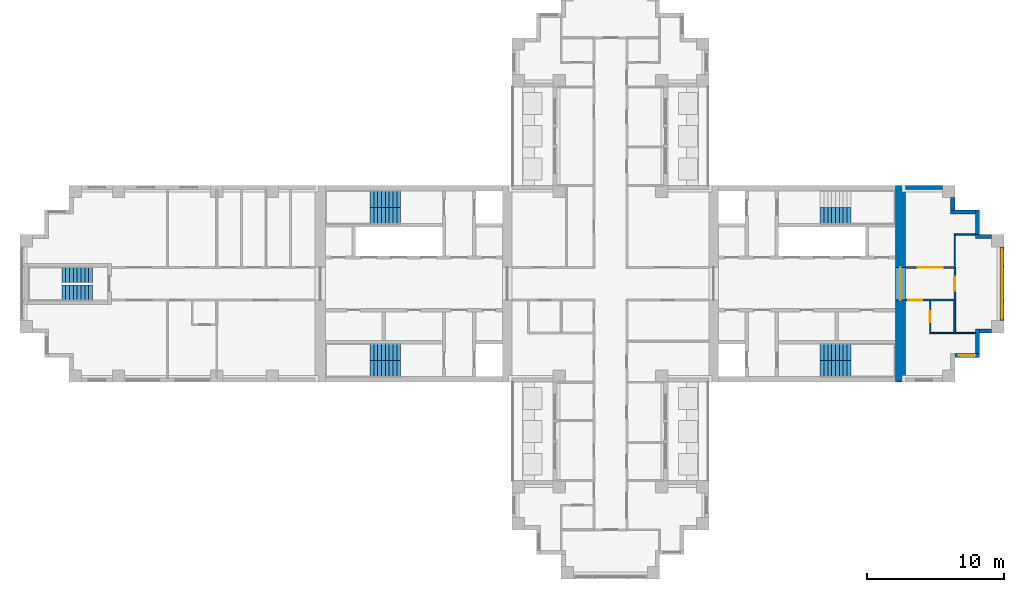
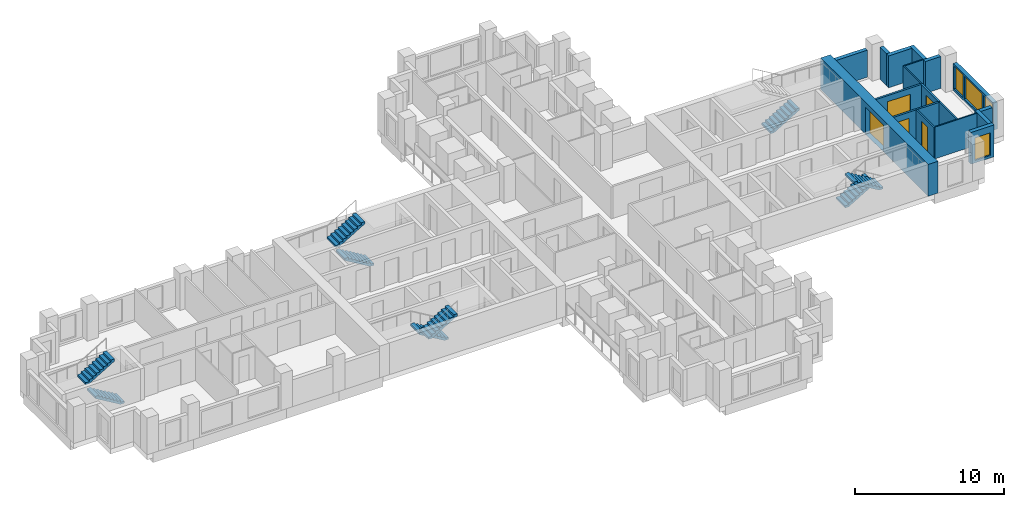
# One storey, part 8 of 11: 18 walls, 9 stair flights, 5 doors, 4 windows, 9 openings, 5 elements without a shape of their own.
"""IFC4 building model written with IfcOpenShell, lengths in metres."""

import ifcopenshell
import ifcopenshell.guid

model = None  # the IFC model being written
_history = None  # IfcOwnerHistory: only IFC2X3 demands one
_inside = {}  # id of a spatial element -> (the spatial element, [elements in it])
_under = {}  # id of a project, library or spatial element -> (it, [spatial elements below it])
_declared = {}  # id of a project -> (the project, [libraries it declares])
_typed = {}  # id of a type object -> (the type object, [elements of that type])
_made_of = {}  # id of a material, layer set ... -> (it, [elements and type objects made of it])


def new_model(schema):
    """Start an empty IFC model of exactly this schema.

    Asked for "IFC4X3", IfcOpenShell would pick the latest addendum, in which some entities
    have other attributes; the version numbers below select the first issue.
    IFC2X3 requires an IfcOwnerHistory on every rooted entity: one is made here for all.
    """
    global model, _history
    if schema == "IFC4X3":
        model = ifcopenshell.file(schema_version=(4, 3, 0, 0))
    else:
        model = ifcopenshell.file(schema=schema)
    _inside.clear()
    _under.clear()
    _declared.clear()
    _typed.clear()
    _made_of.clear()
    _history = None
    if model.schema == "IFC2X3":
        org = make("IfcOrganization", Name="unknown")
        user = make(
            "IfcPersonAndOrganization",
            ThePerson=make("IfcPerson", FamilyName="unknown"),
            TheOrganization=org,
        )
        app = make(
            "IfcApplication",
            ApplicationDeveloper=org,
            Version="unknown",
            ApplicationFullName="unknown",
            ApplicationIdentifier="unknown",
        )
        _history = make(
            "IfcOwnerHistory",
            OwningUser=user,
            OwningApplication=app,
            ChangeAction="ADDED",
            CreationDate=0,
        )
    return model


def make(cls, **values):
    """One entity of the class cls with the attributes given. An attribute that is None is left unset."""
    return model.create_entity(
        cls, **{name: value for name, value in values.items() if value is not None}
    )


def rooted(cls, **values):
    """An entity with a GlobalId (a new one), such as an element, a storey or a relation."""
    return make(cls, GlobalId=ifcopenshell.guid.new(), OwnerHistory=_history, **values)


def si_unit(unit_type, name, prefix=None):
    """IfcSIUnit, for example si_unit("LENGTHUNIT", "METRE", prefix="MILLI")."""
    return make("IfcSIUnit", UnitType=unit_type, Prefix=prefix, Name=name)


def assignment(units):
    """IfcUnitAssignment: the units of a project."""
    return None if units is None else make("IfcUnitAssignment", Units=units)


def point(xyz):
    """IfcCartesianPoint."""
    return None if xyz is None else make("IfcCartesianPoint", Coordinates=xyz)


def direction(xyz):
    """IfcDirection."""
    return None if xyz is None else make("IfcDirection", DirectionRatios=xyz)


def frame(location, z_axis=None, x_axis=None):
    """IfcAxis2Placement3D, a coordinate frame: its origin and axes. An axis left out is left unset."""
    return make(
        "IfcAxis2Placement3D",
        Location=point(location),
        Axis=direction(z_axis),
        RefDirection=direction(x_axis),
    )


def frame_2d(location, x_axis=None):
    """IfcAxis2Placement2D, a coordinate frame in the plane: its origin and x axis."""
    return make(
        "IfcAxis2Placement2D", Location=point(location), RefDirection=direction(x_axis)
    )


def origin():
    """The frame at (0, 0, 0) with its axes left unset."""
    return frame((0.0, 0.0, 0.0))


def place(relative_to, where):
    """IfcLocalPlacement: puts the frame where relative to a parent placement (None: the world)."""
    return make(
        "IfcLocalPlacement", PlacementRelTo=relative_to, RelativePlacement=where
    )


def context(
    kind, dimensions, precision=None, world=None, true_north=None, identifier=None
):
    """IfcGeometricRepresentationContext, for example the 3D "Model" context."""
    return make(
        "IfcGeometricRepresentationContext",
        ContextIdentifier=identifier,
        ContextType=kind,
        CoordinateSpaceDimension=dimensions,
        Precision=precision,
        WorldCoordinateSystem=world,
        TrueNorth=true_north,
    )


def subcontext(parent, identifier, kind, view, scale=None):
    """IfcGeometricRepresentationSubContext, for example "Body" below "Model"."""
    return make(
        "IfcGeometricRepresentationSubContext",
        ContextIdentifier=identifier,
        ContextType=kind,
        ParentContext=parent,
        TargetScale=scale,
        TargetView=view,
    )


def project(units=None, contexts=None):
    """IfcProject with its units and contexts."""
    return rooted(
        "IfcProject",
        Name="project",
        RepresentationContexts=contexts,
        UnitsInContext=assignment(units),
    )


def spatial(cls, under=None, at=None, **own):
    """A site, building, storey or space (cls), placed at a placement, below another one or the project."""
    s = rooted(cls, ObjectPlacement=at, **own)
    if under is not None:
        _under.setdefault(under.id(), (under, []))[1].append(s)
    return s


def polyline(points):
    """IfcPolyline through the points."""
    return make("IfcPolyline", Points=[point(p) for p in points])


def profile(cls, at=None, kind="AREA", **sizes):
    """A parametric profile (cls). Its sizes go by their IFC names, for example OverallWidth=200.0."""
    return make(cls, ProfileType=kind, Position=at, **sizes)


def rectangle(**sizes):
    """IfcRectangleProfileDef."""
    return profile("IfcRectangleProfileDef", **sizes)


def outline(outer, holes=None, kind="AREA"):
    """IfcArbitraryClosedProfileDef: a profile drawn as a closed curve; with holes, ...WithVoids."""
    if holes is None:
        return make("IfcArbitraryClosedProfileDef", ProfileType=kind, OuterCurve=outer)
    return make(
        "IfcArbitraryProfileDefWithVoids",
        ProfileType=kind,
        OuterCurve=outer,
        InnerCurves=holes,
    )


def extrude(swept, where, along, depth):
    """IfcExtrudedAreaSolid: the profile swept, set in the frame where, extruded along a direction by depth."""
    return make(
        "IfcExtrudedAreaSolid",
        SweptArea=swept,
        Position=where,
        ExtrudedDirection=direction(along),
        Depth=depth,
    )


def shape(context_of_items, identifier, shape_type, items):
    """IfcShapeRepresentation: the items that make up one representation, for example the "Body"."""
    return make(
        "IfcShapeRepresentation",
        ContextOfItems=context_of_items,
        RepresentationIdentifier=identifier,
        RepresentationType=shape_type,
        Items=items,
    )


def material(Name=None, Category=None):
    """IfcMaterial."""
    return make("IfcMaterial", Name=Name, Category=Category)


def layer(
    of_material, thickness, ventilated=None, Name=None, Category=None, Priority=None
):
    """IfcMaterialLayer: one layer of a wall or slab, of a material (None: an air gap)."""
    return make(
        "IfcMaterialLayer",
        Material=of_material,
        LayerThickness=thickness,
        IsVentilated=ventilated,
        Name=Name,
        Category=Category,
        Priority=Priority,
    )


def layer_set(layers, Name=None):
    """IfcMaterialLayerSet."""
    return make("IfcMaterialLayerSet", MaterialLayers=layers, LayerSetName=Name)


def made_of(thing, what):
    """Note that an element or type object is made of a material, layer set ...; save() writes the relation."""
    if what is not None:
        _made_of.setdefault(what.id(), (what, []))[1].append(thing)
    return thing


def type_object(cls, material=None, **own):
    """A type object (cls), such as IfcWallType, which elements share."""
    return made_of(rooted(cls, **own), material)


def element(
    cls,
    number,
    at=None,
    inside=None,
    cuts=None,
    type_object=None,
    material=None,
    context=None,
    identifier="Body",
    shape_type=None,
    held_by="IfcProductDefinitionShape",
    body=None,
    shapes=None,
    **own,
):
    """One element of the class cls, such as IfcWall. Its Tag is "e" and its number.

    at: its placement. inside: the storey or other place that contains it. cuts: it is an
    opening in that element (IfcRelVoidsElement). A single representation is given by context,
    identifier, shape_type and body (its items); several are given by shapes. held_by: the class
    of the entity that holds the representations. save() writes the other relations.
    """
    e = rooted(cls, Tag="e%d" % number, ObjectPlacement=at, **own)
    if body is not None:
        shapes = [shape(context, identifier, shape_type, body)]
    if shapes is not None:
        e.Representation = make(held_by, Representations=shapes)
    if inside is not None:
        _inside.setdefault(inside.id(), (inside, []))[1].append(e)
    if cuts is not None:
        rooted(
            "IfcRelVoidsElement", RelatingBuildingElement=cuts, RelatedOpeningElement=e
        )
    if type_object is not None:
        _typed.setdefault(type_object.id(), (type_object, []))[1].append(e)
    return made_of(e, material)


def fill(opening, filler):
    """IfcRelFillsElement: the door or window that sits in an opening."""
    return rooted(
        "IfcRelFillsElement",
        RelatingOpeningElement=opening,
        RelatedBuildingElement=filler,
    )


def aggregate(whole, parts):
    """IfcRelAggregates: a whole, such as a stair, and the parts it consists of."""
    return rooted("IfcRelAggregates", RelatingObject=whole, RelatedObjects=parts)


def save(model, path):
    """Write the relations noted so far, then the file.

    IfcRelAggregates (storeys below a building ...), IfcRelContainedInSpatialStructure (elements
    in a storey), IfcRelDefinesByType, IfcRelAssociatesMaterial and IfcRelDeclares: one each for
    every whole, place, type object, material and project.
    """
    for whole, parts in _under.values():
        aggregate(whole, parts)
    for where, things in _inside.values():
        rooted(
            "IfcRelContainedInSpatialStructure",
            RelatedElements=things,
            RelatingStructure=where,
        )
    for kind, things in _typed.values():
        rooted("IfcRelDefinesByType", RelatedObjects=things, RelatingType=kind)
    for what, things in _made_of.values():
        rooted("IfcRelAssociatesMaterial", RelatedObjects=things, RelatingMaterial=what)
    for by, libraries in _declared.values():
        rooted("IfcRelDeclares", RelatingContext=by, RelatedDefinitions=libraries)
    model.write(path)


model = new_model("IFC4")

# Units and contexts
model_context = context("Model", 3, precision=1e-05, world=origin(), true_north=direction((0.0, 1.0)))
body_context = subcontext(model_context, "Body", "Model", "MODEL_VIEW")
ifc_project = project(units=[si_unit("LENGTHUNIT", "METRE"), si_unit("AREAUNIT", "SQUARE_METRE"), si_unit("VOLUMEUNIT", "CUBIC_METRE"), si_unit("PLANEANGLEUNIT", "RADIAN"), si_unit("MASSUNIT", "GRAM", prefix="KILO")], contexts=[model_context])

# Site, building, storey
site_placement = place(None, origin())
site = spatial("IfcSite", under=ifc_project, at=site_placement, CompositionType="ELEMENT")
building_placement = place(site_placement, origin())
building = spatial("IfcBuilding", under=site, at=building_placement, Name="Fustian Cross Tower", CompositionType="ELEMENT")
storey_placement = place(building_placement, frame((0.0, 0.0, 173.699951171875)))
storey = spatial("IfcBuildingStorey", under=building, at=storey_placement, Name="L54", CompositionType="ELEMENT", Elevation=173.699951171875)

# Wall, opening, door
ifc_material_1 = material(Name="Plasterboard on steel stud", Category="steel")
ifc_layer_1 = layer(ifc_material_1, 0.14990234375)
ifc_layer_set_1 = layer_set([ifc_layer_1], Name="Plasterboard on steel stud")
wall_type_1 = type_object("IfcWallType", Name="COMPARTMENT WALL 150 EI 60", PredefinedType="PARTITIONING", material=ifc_layer_set_1)
wall_1_placement = place(storey_placement, frame((21.60009765625, -1.199951171875, 0.0), z_axis=(0.0, 0.0, 1.0), x_axis=(1.0, 0.0, 0.0)))
wall_1 = element("IfcWall", 1, at=wall_1_placement, inside=storey, type_object=wall_type_1, Name="Partition 50", PredefinedType="PARTITIONING", context=body_context, shape_type="SweptSolid", body=[
    extrude(rectangle(XDim=3.52490234375, YDim=0.14990234375, at=frame_2d((1.762451171875, 0.0))), origin(), (0.0, 0.0, 1.0), 2.60009765625),
])
opening_1_placement = place(wall_1_placement, frame((0.199951171875, 0.0, 0.0)))
opening_1 = element("IfcOpeningElement", 2, at=opening_1_placement, cuts=wall_1, Name="Opening D25012", PredefinedType="OPENING", context=body_context, shape_type="SweptSolid", body=[
    extrude(rectangle(XDim=1.0, YDim=2.10009765625, at=frame_2d((0.5, 1.050048828125))), frame((0.0, 0.0849609375, 0.0), z_axis=(0.0, -1.0, 0.0), x_axis=(1.0, 0.0, 0.0)), (0.0, 0.0, 1.0), 0.169921875),
])
ifc_material_2 = material(Name="Timber fire door set", Category="wood")
door_type_1 = type_object("IfcDoorType", Name="FIRE SWING DOOR 1000 FD30S", OperationType="SINGLE_SWING_LEFT", PredefinedType="DOOR", material=ifc_material_2)
door_1_placement = place(opening_1_placement, frame((1.0, 0.0, 0.0), z_axis=(0.0, 0.0, 1.0), x_axis=(-1.0, 0.0, 0.0)))
door_1 = element("IfcDoor", 3, at=door_1_placement, inside=storey, type_object=door_type_1, Name="Door D25012", OperationType="SINGLE_SWING_RIGHT", OverallHeight=2.10009765625, OverallWidth=1.0, PredefinedType="DOOR", context=body_context, shape_type="SweptSolid", body=[
    extrude(rectangle(XDim=1.0, YDim=2.10009765625, at=frame_2d((0.5, 1.050048828125))), frame((0.0, 0.02490234375, 0.0), z_axis=(0.0, -1.0, 0.0), x_axis=(1.0, 0.0, 0.0)), (0.0, 0.0, 1.0), 0.050048828125),
])
fill(opening_1, door_1)

wall_2_placement = place(storey_placement, frame((21.60009765625, 1.199951171875, 0.0), z_axis=(0.0, 0.0, 1.0), x_axis=(1.0, 0.0, 0.0)))
wall_2 = element("IfcWall", 4, at=wall_2_placement, inside=storey, type_object=wall_type_1, Name="Partition 51", PredefinedType="PARTITIONING", context=body_context, shape_type="SweptSolid", body=[
    extrude(rectangle(XDim=3.52490234375, YDim=0.14990234375, at=frame_2d((1.762451171875, 0.0))), origin(), (0.0, 0.0, 1.0), 2.60009765625),
])
opening_2_placement = place(wall_2_placement, frame((0.89990234375, 0.0, 0.0)))
opening_2 = element("IfcOpeningElement", 5, at=opening_2_placement, cuts=wall_2, Name="Opening D25010", PredefinedType="OPENING", context=body_context, shape_type="SweptSolid", body=[
    extrude(rectangle(XDim=1.800048828125, YDim=2.10009765625, at=frame_2d((0.89990234375, 1.050048828125))), frame((0.0, 0.0849609375, 0.0), z_axis=(0.0, -1.0, 0.0), x_axis=(1.0, 0.0, 0.0)), (0.0, 0.0, 1.0), 0.169921875),
])
ifc_material_3 = material(Name="Timber fire door set", Category="wood")
door_type_2 = type_object("IfcDoorType", Name="FIRE DOUBLE DOOR 1800 FD30S", OperationType="DOUBLE_DOOR_DOUBLE_SWING", PredefinedType="DOOR", material=ifc_material_3)
door_2_placement = place(opening_2_placement, frame((1.800048828125, 0.0, 0.0), z_axis=(0.0, 0.0, 1.0), x_axis=(-1.0, 0.0, 0.0)))
door_2 = element("IfcDoor", 6, at=door_2_placement, inside=storey, type_object=door_type_2, Name="Door D25010", OperationType="DOUBLE_DOOR_DOUBLE_SWING", OverallHeight=2.10009765625, OverallWidth=1.800048828125, PredefinedType="DOOR", context=body_context, shape_type="SweptSolid", body=[
    extrude(rectangle(XDim=1.800048828125, YDim=2.10009765625, at=frame_2d((0.89990234375, 1.050048828125))), frame((0.0, 0.02490234375, 0.0), z_axis=(0.0, -1.0, 0.0), x_axis=(1.0, 0.0, 0.0)), (0.0, 0.0, 1.0), 0.050048828125),
])
fill(opening_2, door_2)

wall_3_placement = place(storey_placement, frame((25.199951171875, -1.199951171875, 0.0), z_axis=(0.0, 0.0, 1.0), x_axis=(0.0, 1.0, 0.0)))
wall_3 = element("IfcWall", 7, at=wall_3_placement, inside=storey, type_object=wall_type_1, Name="Partition 55", PredefinedType="PARTITIONING", context=body_context, shape_type="SweptSolid", body=[
    extrude(rectangle(XDim=2.39990234375, YDim=0.14990234375, at=frame_2d((1.199951171875, 0.0))), origin(), (0.0, 0.0, 1.0), 2.60009765625),
])
opening_3_placement = place(wall_3_placement, frame((0.699951171875, 0.0, 0.0)))
opening_3 = element("IfcOpeningElement", 8, at=opening_3_placement, cuts=wall_3, Name="Opening D25009", PredefinedType="OPENING", context=body_context, shape_type="SweptSolid", body=[
    extrude(rectangle(XDim=1.0, YDim=2.10009765625, at=frame_2d((0.5, 1.050048828125))), frame((0.0, 0.0849609375, 0.0), z_axis=(0.0, -1.0, 0.0), x_axis=(1.0, 0.0, 0.0)), (0.0, 0.0, 1.0), 0.169921875),
])
door_3_placement = place(opening_3_placement, frame((1.0, 0.0, 0.0), z_axis=(0.0, 0.0, 1.0), x_axis=(-1.0, 0.0, 0.0)))
door_3 = element("IfcDoor", 9, at=door_3_placement, inside=storey, type_object=door_type_1, Name="Door D25009", OperationType="SINGLE_SWING_RIGHT", OverallHeight=2.10009765625, OverallWidth=1.0, PredefinedType="DOOR", context=body_context, shape_type="SweptSolid", body=[
    extrude(rectangle(XDim=1.0, YDim=2.10009765625, at=frame_2d((0.5, 1.050048828125))), frame((0.0, 0.02490234375, 0.0), z_axis=(0.0, -1.0, 0.0), x_axis=(1.0, 0.0, 0.0)), (0.0, 0.0, 1.0), 0.050048828125),
])
fill(opening_3, door_3)

ifc_material_4 = material(Name="Concrete C50/60", Category="concrete")
ifc_layer_2 = layer(ifc_material_4, 0.75)
ifc_layer_set_2 = layer_set([ifc_layer_2], Name="Concrete C50/60")
wall_type_2 = type_object("IfcWallType", Name="CORE END WALL 750 C50/60", PredefinedType="SHEAR", material=ifc_layer_set_2)
wall_4_placement = place(storey_placement, frame((21.22509765625, -7.199951171875, 0.0), z_axis=(0.0, 0.0, 1.0), x_axis=(0.0, 1.0, 0.0)))
wall_4 = element("IfcWall", 10, at=wall_4_placement, inside=storey, type_object=wall_type_2, Name="Core end wall", PredefinedType="SHEAR", context=body_context, shape_type="SweptSolid", body=[
    extrude(rectangle(XDim=14.39990234375, YDim=0.75, at=frame_2d((7.199951171875, 0.0))), origin(), (0.0, 0.0, 1.0), 2.60009765625),
])
opening_4_placement = place(wall_4_placement, frame((6.0, 0.0, 0.0)))
opening_4 = element("IfcOpeningElement", 11, at=opening_4_placement, cuts=wall_4, Name="Opening CD-22-13", PredefinedType="OPENING", context=body_context, shape_type="SweptSolid", body=[
    extrude(rectangle(XDim=2.39990234375, YDim=2.199951171875, at=frame_2d((1.199951171875, 1.10009765625))), frame((0.0, 0.385009765625, 0.0), z_axis=(0.0, -1.0, 0.0), x_axis=(1.0, 0.0, 0.0)), (0.0, 0.0, 1.0), 0.77001953125),
])
ifc_material_5 = material(Name="Steel", Category="steel")
door_type_3 = type_object("IfcDoorType", Name="FIRE DOOR FD30S DOUBLE 2400X2200", OperationType="DOUBLE_DOOR_DOUBLE_SWING", PredefinedType="DOOR", material=ifc_material_5)
door_4_placement = place(opening_4_placement, origin())
door_4 = element("IfcDoor", 12, at=door_4_placement, inside=storey, type_object=door_type_3, Name="Core door CD-22-13", OperationType="DOUBLE_DOOR_DOUBLE_SWING", OverallHeight=2.199951171875, OverallWidth=2.39990234375, PredefinedType="DOOR", context=body_context, shape_type="SweptSolid", body=[
    extrude(rectangle(XDim=2.39990234375, YDim=2.199951171875, at=frame_2d((1.199951171875, 1.10009765625))), frame((0.0, 0.02490234375, 0.0), z_axis=(0.0, -1.0, 0.0), x_axis=(1.0, 0.0, 0.0)), (0.0, 0.0, 1.0), 0.050048828125),
])
fill(opening_4, door_4)

ifc_material_6 = material(Name="Plasterboard on steel stud", Category="steel")
ifc_layer_3 = layer(ifc_material_6, 0.10009765625)
ifc_layer_set_3 = layer_set([ifc_layer_3], Name="Plasterboard on steel stud")
wall_type_3 = type_object("IfcWallType", Name="PARTITION 100 STUD", PredefinedType="PARTITIONING", material=ifc_layer_set_3)
wall_5_placement = place(storey_placement, frame((23.39990234375, -3.64990234375, 0.0), z_axis=(0.0, 0.0, 1.0), x_axis=(0.0, 1.0, 0.0)))
wall_5 = element("IfcWall", 13, at=wall_5_placement, inside=storey, type_object=wall_type_3, Name="Partition 52", PredefinedType="PARTITIONING", context=body_context, shape_type="SweptSolid", body=[
    extrude(rectangle(XDim=2.375, YDim=0.10009765625, at=frame_2d((1.1875, 0.0))), origin(), (0.0, 0.0, 1.0), 2.60009765625),
])
opening_5_placement = place(wall_5_placement, frame((0.85009765625, 0.0, 0.0)))
opening_5 = element("IfcOpeningElement", 14, at=opening_5_placement, cuts=wall_5, Name="Opening D25011", PredefinedType="OPENING", context=body_context, shape_type="SweptSolid", body=[
    extrude(rectangle(XDim=0.800048828125, YDim=2.10009765625, at=frame_2d((0.39990234375, 1.050048828125))), frame((0.0, 0.06005859375, 0.0), z_axis=(0.0, -1.0, 0.0), x_axis=(1.0, 0.0, 0.0)), (0.0, 0.0, 1.0), 0.1201171875),
])
ifc_material_7 = material(Name="Painted timber", Category="wood")
door_type_4 = type_object("IfcDoorType", Name="SWING DOOR 800", OperationType="SINGLE_SWING_LEFT", PredefinedType="DOOR", material=ifc_material_7)
door_5_placement = place(opening_5_placement, frame((0.800048828125, 0.0, 0.0), z_axis=(0.0, 0.0, 1.0), x_axis=(-1.0, 0.0, 0.0)))
door_5 = element("IfcDoor", 15, at=door_5_placement, inside=storey, type_object=door_type_4, Name="Door D25011", OperationType="SINGLE_SWING_RIGHT", OverallHeight=2.10009765625, OverallWidth=0.800048828125, PredefinedType="DOOR", context=body_context, shape_type="SweptSolid", body=[
    extrude(rectangle(XDim=0.800048828125, YDim=2.10009765625, at=frame_2d((0.39990234375, 1.050048828125))), frame((0.0, 0.02490234375, 0.0), z_axis=(0.0, -1.0, 0.0), x_axis=(1.0, 0.0, 0.0)), (0.0, 0.0, 1.0), 0.050048828125),
])
fill(opening_5, door_5)

# Walls
wall_6_placement = place(storey_placement, frame((23.449951171875, -3.60009765625, 0.0), z_axis=(0.0, 0.0, 1.0), x_axis=(1.0, 0.0, 0.0)))
element("IfcWall", 16, at=wall_6_placement, inside=storey, type_object=wall_type_3, Name="Partition 53", PredefinedType="PARTITIONING", context=body_context, shape_type="SweptSolid", body=[
    extrude(rectangle(XDim=3.25, YDim=0.10009765625, at=frame_2d((1.625, 0.0))), origin(), (0.0, 0.0, 1.0), 2.60009765625),
])
wall_7_placement = place(storey_placement, frame((25.199951171875, 1.199951171875, 0.0), z_axis=(0.0, 0.0, 1.0), x_axis=(0.0, 1.0, 0.0)))
element("IfcWall", 17, at=wall_7_placement, inside=storey, type_object=wall_type_3, Name="Partition 56", PredefinedType="PARTITIONING", context=body_context, shape_type="SweptSolid", body=[
    extrude(rectangle(XDim=2.449951171875, YDim=0.10009765625, at=frame_2d((1.22509765625, 0.0))), origin(), (0.0, 0.0, 1.0), 2.60009765625),
])
wall_8_placement = place(storey_placement, frame((25.25, 3.60009765625, 0.0), z_axis=(0.0, 0.0, 1.0), x_axis=(1.0, 0.0, 0.0)))
element("IfcWall", 18, at=wall_8_placement, inside=storey, type_object=wall_type_3, Name="Partition 57", PredefinedType="PARTITIONING", context=body_context, shape_type="SweptSolid", body=[
    extrude(rectangle(XDim=1.449951171875, YDim=0.10009765625, at=frame_2d((0.72509765625, 0.0))), origin(), (0.0, 0.0, 1.0), 2.60009765625),
])
ifc_material_8 = material(Name="Plasterboard on steel stud", Category="steel")
ifc_layer_4 = layer(ifc_material_8, 0.125)
ifc_layer_set_4 = layer_set([ifc_layer_4], Name="Plasterboard on steel stud")
wall_type_4 = type_object("IfcWallType", Name="WET WALL 125 STUD", PredefinedType="PARTITIONING", material=ifc_layer_set_4)
wall_9_placement = place(storey_placement, frame((25.199951171875, -3.550048828125, 0.0), z_axis=(0.0, 0.0, 1.0), x_axis=(0.0, 1.0, 0.0)))
element("IfcWall", 19, at=wall_9_placement, inside=storey, type_object=wall_type_4, Name="Partition 54", PredefinedType="PARTITIONING", context=body_context, shape_type="SweptSolid", body=[
    extrude(rectangle(XDim=2.35009765625, YDim=0.125, at=frame_2d((1.175048828125, 0.0))), origin(), (0.0, 0.0, 1.0), 2.60009765625),
])

# Wall, opening, window
ifc_material_9 = material(Name="Dark aluminium cladding on insulated backing wall", Category="aluminium")
ifc_layer_5 = layer(ifc_material_9, 0.300048828125)
ifc_layer_set_5 = layer_set([ifc_layer_5], Name="Dark aluminium cladding on insulated backing wall")
wall_type_5 = type_object("IfcWallType", Name="XW1 EXTERNAL WALL 300", PredefinedType="SOLIDWALL", material=ifc_layer_set_5)
wall_10_placement = place(storey_placement, frame((25.199951171875, -5.25, 0.0), z_axis=(0.0, 0.0, 1.0), x_axis=(1.0, 0.0, 0.0)))
wall_10 = element("IfcWall", 20, at=wall_10_placement, inside=storey, type_object=wall_type_5, Name="External wall", PredefinedType="SOLIDWALL", context=body_context, shape_type="SweptSolid", body=[
    extrude(rectangle(XDim=1.800048828125, YDim=0.300048828125, at=frame_2d((0.89990234375, 0.0))), origin(), (0.0, 0.0, 1.0), 2.60009765625),
])
opening_6_placement = place(wall_10_placement, frame((0.300048828125, 0.0, 0.199951171875)))
opening_6 = element("IfcOpeningElement", 21, at=opening_6_placement, cuts=wall_10, Name="Opening WN3", PredefinedType="OPENING", context=body_context, shape_type="SweptSolid", body=[
    extrude(rectangle(XDim=1.199951171875, YDim=1.85009765625, at=frame_2d((0.60009765625, 0.925048828125))), frame((0.0, 0.159912109375, 0.0), z_axis=(0.0, -1.0, 0.0), x_axis=(1.0, 0.0, 0.0)), (0.0, 0.0, 1.0), 0.320068359375),
])
ifc_material_10 = material(Name="Dark anodised aluminium and double glazing", Category="aluminium")
window_type_1 = type_object("IfcWindowType", Name="WN3 WINDOW 1200X1850", PartitioningType="SINGLE_PANEL", PredefinedType="WINDOW", material=ifc_material_10)
window_1_placement = place(opening_6_placement, origin())
window_1 = element("IfcWindow", 22, at=window_1_placement, inside=storey, type_object=window_type_1, Name="Window", OverallHeight=1.85009765625, OverallWidth=1.199951171875, PartitioningType="SINGLE_PANEL", PredefinedType="WINDOW", context=body_context, shape_type="SweptSolid", body=[
    extrude(rectangle(XDim=1.199951171875, YDim=1.85009765625, at=frame_2d((0.60009765625, 0.925048828125))), frame((0.0, 0.030029296875, 0.0), z_axis=(0.0, -1.0, 0.0), x_axis=(1.0, 0.0, 0.0)), (0.0, 0.0, 1.0), 0.06005859375),
])
fill(opening_6, window_1)

# Walls
wall_11_placement = place(storey_placement, frame((26.85009765625, -5.10009765625, 0.0), z_axis=(0.0, 0.0, 1.0), x_axis=(0.0, 1.0, 0.0)))
element("IfcWall", 23, at=wall_11_placement, inside=storey, type_object=wall_type_5, Name="External wall", PredefinedType="SOLIDWALL", context=body_context, shape_type="SweptSolid", body=[
    extrude(rectangle(XDim=1.800048828125, YDim=0.300048828125, at=frame_2d((0.89990234375, 0.0))), origin(), (0.0, 0.0, 1.0), 2.60009765625),
])
wall_12_placement = place(storey_placement, frame((27.0, -3.449951171875, 0.0), z_axis=(0.0, 0.0, 1.0), x_axis=(1.0, 0.0, 0.0)))
element("IfcWall", 24, at=wall_12_placement, inside=storey, type_object=wall_type_5, Name="External wall", PredefinedType="SOLIDWALL", context=body_context, shape_type="SweptSolid", body=[
    extrude(rectangle(XDim=0.89990234375, YDim=0.300048828125, at=frame_2d((0.449951171875, 0.0))), origin(), (0.0, 0.0, 1.0), 2.60009765625),
])

# Wall, openings, windows
wall_13_placement = place(storey_placement, frame((28.64990234375, -2.699951171875, 0.0), z_axis=(0.0, 0.0, 1.0), x_axis=(0.0, 1.0, 0.0)))
wall_13 = element("IfcWall", 25, at=wall_13_placement, inside=storey, type_object=wall_type_5, Name="External wall", PredefinedType="SOLIDWALL", context=body_context, shape_type="SweptSolid", body=[
    extrude(rectangle(XDim=5.39990234375, YDim=0.300048828125, at=frame_2d((2.699951171875, 0.0))), origin(), (0.0, 0.0, 1.0), 2.199951171875),
])
opening_7_placement = place(wall_13_placement, frame((1.5, 0.0, 0.199951171875)))
opening_7 = element("IfcOpeningElement", 26, at=opening_7_placement, cuts=wall_13, Name="Opening WN1", PredefinedType="OPENING", context=body_context, shape_type="SweptSolid", body=[
    extrude(rectangle(XDim=2.39990234375, YDim=1.85009765625, at=frame_2d((1.199951171875, 0.925048828125))), frame((0.0, 0.159912109375, 0.0), z_axis=(0.0, -1.0, 0.0), x_axis=(1.0, 0.0, 0.0)), (0.0, 0.0, 1.0), 0.320068359375),
])
opening_8_placement = place(wall_13_placement, frame((0.14990234375, 0.0, 0.199951171875)))
opening_8 = element("IfcOpeningElement", 27, at=opening_8_placement, cuts=wall_13, Name="Opening WN3", PredefinedType="OPENING", context=body_context, shape_type="SweptSolid", body=[
    extrude(rectangle(XDim=1.199951171875, YDim=1.85009765625, at=frame_2d((0.60009765625, 0.925048828125))), frame((0.0, 0.159912109375, 0.0), z_axis=(0.0, -1.0, 0.0), x_axis=(1.0, 0.0, 0.0)), (0.0, 0.0, 1.0), 0.320068359375),
])
opening_9_placement = place(wall_13_placement, frame((4.050048828125, 0.0, 0.199951171875)))
opening_9 = element("IfcOpeningElement", 28, at=opening_9_placement, cuts=wall_13, Name="Opening WN3", PredefinedType="OPENING", context=body_context, shape_type="SweptSolid", body=[
    extrude(rectangle(XDim=1.199951171875, YDim=1.85009765625, at=frame_2d((0.60009765625, 0.925048828125))), frame((0.0, 0.159912109375, 0.0), z_axis=(0.0, -1.0, 0.0), x_axis=(1.0, 0.0, 0.0)), (0.0, 0.0, 1.0), 0.320068359375),
])
ifc_material_11 = material(Name="Dark anodised aluminium and double glazing", Category="aluminium")
window_type_2 = type_object("IfcWindowType", Name="WN1 WINDOW 2400X1850", PartitioningType="SINGLE_PANEL", PredefinedType="WINDOW", material=ifc_material_11)
window_2_placement = place(opening_7_placement, origin())
window_2 = element("IfcWindow", 29, at=window_2_placement, inside=storey, type_object=window_type_2, Name="Window", OverallHeight=1.85009765625, OverallWidth=2.39990234375, PartitioningType="SINGLE_PANEL", PredefinedType="WINDOW", context=body_context, shape_type="SweptSolid", body=[
    extrude(rectangle(XDim=2.39990234375, YDim=1.85009765625, at=frame_2d((1.199951171875, 0.925048828125))), frame((0.0, 0.030029296875, 0.0), z_axis=(0.0, -1.0, 0.0), x_axis=(1.0, 0.0, 0.0)), (0.0, 0.0, 1.0), 0.06005859375),
])
fill(opening_7, window_2)
window_3_placement = place(opening_8_placement, origin())
window_3 = element("IfcWindow", 30, at=window_3_placement, inside=storey, type_object=window_type_1, Name="Window", OverallHeight=1.85009765625, OverallWidth=1.199951171875, PartitioningType="SINGLE_PANEL", PredefinedType="WINDOW", context=body_context, shape_type="SweptSolid", body=[
    extrude(rectangle(XDim=1.199951171875, YDim=1.85009765625, at=frame_2d((0.60009765625, 0.925048828125))), frame((0.0, 0.030029296875, 0.0), z_axis=(0.0, -1.0, 0.0), x_axis=(1.0, 0.0, 0.0)), (0.0, 0.0, 1.0), 0.06005859375),
])
fill(opening_8, window_3)
window_4_placement = place(opening_9_placement, origin())
window_4 = element("IfcWindow", 31, at=window_4_placement, inside=storey, type_object=window_type_1, Name="Window", OverallHeight=1.85009765625, OverallWidth=1.199951171875, PartitioningType="SINGLE_PANEL", PredefinedType="WINDOW", context=body_context, shape_type="SweptSolid", body=[
    extrude(rectangle(XDim=1.199951171875, YDim=1.85009765625, at=frame_2d((0.60009765625, 0.925048828125))), frame((0.0, 0.030029296875, 0.0), z_axis=(0.0, -1.0, 0.0), x_axis=(1.0, 0.0, 0.0)), (0.0, 0.0, 1.0), 0.06005859375),
])
fill(opening_9, window_4)

# Walls
wall_14_placement = place(storey_placement, frame((27.89990234375, 3.449951171875, 0.0), z_axis=(0.0, 0.0, 1.0), x_axis=(-1.0, 0.0, 0.0)))
element("IfcWall", 32, at=wall_14_placement, inside=storey, type_object=wall_type_5, Name="External wall", PredefinedType="SOLIDWALL", context=body_context, shape_type="SweptSolid", body=[
    extrude(rectangle(XDim=1.199951171875, YDim=0.300048828125, at=frame_2d((0.60009765625, 0.0))), origin(), (0.0, 0.0, 1.0), 2.60009765625),
])
wall_15_placement = place(storey_placement, frame((26.85009765625, 3.60009765625, 0.0), z_axis=(0.0, 0.0, 1.0), x_axis=(0.0, 1.0, 0.0)))
element("IfcWall", 33, at=wall_15_placement, inside=storey, type_object=wall_type_5, Name="External wall", PredefinedType="SOLIDWALL", context=body_context, shape_type="SweptSolid", body=[
    extrude(rectangle(XDim=1.7998046875, YDim=0.300048828125, at=frame_2d((0.89990234375, 0.0))), origin(), (0.0, 0.0, 1.0), 2.60009765625),
])
wall_16_placement = place(storey_placement, frame((26.699951171875, 5.25, 0.0), z_axis=(0.0, 0.0, 1.0), x_axis=(-1.0, 0.0, 0.0)))
element("IfcWall", 34, at=wall_16_placement, inside=storey, type_object=wall_type_5, Name="External wall", PredefinedType="SOLIDWALL", context=body_context, shape_type="SweptSolid", body=[
    extrude(rectangle(XDim=1.800048828125, YDim=0.300048828125, at=frame_2d((0.89990234375, 0.0))), origin(), (0.0, 0.0, 1.0), 2.60009765625),
])
wall_17_placement = place(storey_placement, frame((25.050048828125, 5.39990234375, 0.0), z_axis=(0.0, 0.0, 1.0), x_axis=(0.0, 1.0, 0.0)))
element("IfcWall", 35, at=wall_17_placement, inside=storey, type_object=wall_type_5, Name="External wall", PredefinedType="SOLIDWALL", context=body_context, shape_type="SweptSolid", body=[
    extrude(rectangle(XDim=0.900146484375, YDim=0.300048828125, at=frame_2d((0.4501953125, 0.0))), origin(), (0.0, 0.0, 1.0), 2.60009765625),
])
wall_18_placement = place(storey_placement, frame((24.300048828125, 7.050048828125, 0.0), z_axis=(0.0, 0.0, 1.0), x_axis=(-1.0, 0.0, 0.0)))
element("IfcWall", 36, at=wall_18_placement, inside=storey, type_object=wall_type_5, Name="External wall", PredefinedType="SOLIDWALL", context=body_context, shape_type="SweptSolid", body=[
    extrude(rectangle(XDim=2.699951171875, YDim=0.300048828125, at=frame_2d((1.35009765625, 0.0))), origin(), (0.0, 0.0, 1.0), 2.199951171875),
])

# Stair, stair flights
ifc_material_12 = material(Name="Concrete C50/60", Category="concrete")
stair_type_1 = type_object("IfcStairType", Name="STAIR 1100 HALF TURN", PredefinedType="HALF_TURN_STAIR", material=ifc_material_12)
stair_1_placement = place(storey_placement, origin())
stair_1 = element("IfcStair", 37, at=stair_1_placement, inside=storey, type_object=stair_type_1, Name="Stair ST9", PredefinedType="HALF_TURN_STAIR")
ifc_material_13 = material(Name="Concrete C50/60", Category="concrete")
stair_flight_type_1 = type_object("IfcStairFlightType", Name="STAIR FLIGHT 1100", PredefinedType="STRAIGHT", material=ifc_material_13)
stair_flight_1_placement = place(storey_placement, frame((-37.89990234375, -0.64990234375, 0.0), z_axis=(0.0, 0.0, 1.0), x_axis=(-1.0, 0.0, 0.0)))
stair_flight_1 = element("IfcStairFlight", 38, at=stair_flight_1_placement, type_object=stair_flight_type_1, Name="ST9 flight 1", NumberOfRisers=9, NumberOfTreads=8, PredefinedType="STRAIGHT", RiserHeight=0.166666667, TreadLength=0.28, context=body_context, shape_type="SweptSolid", body=[
    extrude(outline(polyline([(0.0, 0.0), (0.0, 0.166748046875), (0.280029296875, 0.166748046875), (0.280029296875, 0.333251953125), (0.56005859375, 0.333251953125), (0.56005859375, 0.5), (0.840087890625, 0.5), (0.840087890625, 0.666748046875), (1.1201171875, 0.666748046875), (1.1201171875, 0.833251953125), (1.39990234375, 0.833251953125), (1.39990234375, 1.0), (1.679931640625, 1.0), (1.679931640625, 1.166748046875), (1.9599609375, 1.166748046875), (1.9599609375, 1.333251953125), (2.239990234375, 1.333251953125), (2.239990234375, 1.5), (2.239990234375, 1.158935546875), (0.29296875, 0.0), (0.0, 0.0)])), frame((0.0, 0.550048828125, 0.0), z_axis=(0.0, -1.0, 0.0), x_axis=(1.0, 0.0, 0.0)), (0.0, 0.0, 1.0), 1.10009765625),
])
stair_flight_2_placement = place(storey_placement, frame((-40.139892578125, 0.64990234375, 1.5), z_axis=(0.0, 0.0, 1.0), x_axis=(1.0, 0.0, 0.0)))
stair_flight_2 = element("IfcStairFlight", 39, at=stair_flight_2_placement, type_object=stair_flight_type_1, Name="ST9 flight 2", NumberOfRisers=9, NumberOfTreads=8, PredefinedType="STRAIGHT", RiserHeight=0.166666667, TreadLength=0.28, context=body_context, shape_type="SweptSolid", body=[
    extrude(outline(polyline([(0.0, 0.0), (0.0, 0.166748046875), (0.280029296875, 0.166748046875), (0.280029296875, 0.333251953125), (0.56005859375, 0.333251953125), (0.56005859375, 0.5), (0.840087890625, 0.5), (0.840087890625, 0.666748046875), (1.1201171875, 0.666748046875), (1.1201171875, 0.833251953125), (1.39990234375, 0.833251953125), (1.39990234375, 1.0), (1.679931640625, 1.0), (1.679931640625, 1.166748046875), (1.9599609375, 1.166748046875), (1.9599609375, 1.333251953125), (2.239990234375, 1.333251953125), (2.239990234375, 1.5), (2.239990234375, 1.158935546875), (0.29296875, 0.0), (0.0, 0.0)])), frame((0.0, 0.550048828125, 0.0), z_axis=(0.0, -1.0, 0.0), x_axis=(1.0, 0.0, 0.0)), (0.0, 0.0, 1.0), 1.10009765625),
])
aggregate(stair_1, [stair_flight_1, stair_flight_2])

# Stair, stair flight
ifc_material_14 = material(Name="Concrete C50/60", Category="concrete")
stair_type_2 = type_object("IfcStairType", Name="STAIR 1200 HALF TURN", PredefinedType="HALF_TURN_STAIR", material=ifc_material_14)
stair_2_placement = place(storey_placement, origin())
stair_2 = element("IfcStair", 40, at=stair_2_placement, inside=storey, type_object=stair_type_2, Name="Stair ST1", PredefinedType="HALF_TURN_STAIR")
ifc_material_15 = material(Name="Concrete C50/60", Category="concrete")
stair_flight_type_2 = type_object("IfcStairFlightType", Name="STAIR FLIGHT 1200", PredefinedType="STRAIGHT", material=ifc_material_15)
stair_flight_3_placement = place(storey_placement, frame((15.35009765625, 5.0, 0.0), z_axis=(0.0, 0.0, 1.0), x_axis=(1.0, 0.0, 0.0)))
stair_flight_3 = element("IfcStairFlight", 41, at=stair_flight_3_placement, type_object=stair_flight_type_2, Name="ST1 flight 1", NumberOfRisers=9, NumberOfTreads=8, PredefinedType="STRAIGHT", RiserHeight=0.166666667, TreadLength=0.28, context=body_context, shape_type="SweptSolid", body=[
    extrude(outline(polyline([(0.0, 0.0), (0.0, 0.166748046875), (0.280029296875, 0.166748046875), (0.280029296875, 0.333251953125), (0.56005859375, 0.333251953125), (0.56005859375, 0.5), (0.840087890625, 0.5), (0.840087890625, 0.666748046875), (1.1201171875, 0.666748046875), (1.1201171875, 0.833251953125), (1.39990234375, 0.833251953125), (1.39990234375, 1.0), (1.679931640625, 1.0), (1.679931640625, 1.166748046875), (1.9599609375, 1.166748046875), (1.9599609375, 1.333251953125), (2.239990234375, 1.333251953125), (2.239990234375, 1.5), (2.239990234375, 1.158935546875), (0.29296875, 0.0), (0.0, 0.0)])), frame((0.0, 0.60009765625, 0.0), z_axis=(0.0, -1.0, 0.0), x_axis=(1.0, 0.0, 0.0)), (0.0, 0.0, 1.0), 1.199951171875),
])
aggregate(stair_2, [stair_flight_3])

# Stair, stair flights
stair_3_placement = place(storey_placement, origin())
stair_3 = element("IfcStair", 42, at=stair_3_placement, inside=storey, type_object=stair_type_2, Name="Stair ST2", PredefinedType="HALF_TURN_STAIR")
stair_flight_4_placement = place(storey_placement, frame((15.35009765625, -5.0, 0.0), z_axis=(0.0, 0.0, 1.0), x_axis=(1.0, 0.0, 0.0)))
stair_flight_4 = element("IfcStairFlight", 43, at=stair_flight_4_placement, type_object=stair_flight_type_2, Name="ST2 flight 1", NumberOfRisers=9, NumberOfTreads=8, PredefinedType="STRAIGHT", RiserHeight=0.166666667, TreadLength=0.28, context=body_context, shape_type="SweptSolid", body=[
    extrude(outline(polyline([(0.0, 0.0), (0.0, 0.166748046875), (0.280029296875, 0.166748046875), (0.280029296875, 0.333251953125), (0.56005859375, 0.333251953125), (0.56005859375, 0.5), (0.840087890625, 0.5), (0.840087890625, 0.666748046875), (1.1201171875, 0.666748046875), (1.1201171875, 0.833251953125), (1.39990234375, 0.833251953125), (1.39990234375, 1.0), (1.679931640625, 1.0), (1.679931640625, 1.166748046875), (1.9599609375, 1.166748046875), (1.9599609375, 1.333251953125), (2.239990234375, 1.333251953125), (2.239990234375, 1.5), (2.239990234375, 1.158935546875), (0.29296875, 0.0), (0.0, 0.0)])), frame((0.0, 0.60009765625, 0.0), z_axis=(0.0, -1.0, 0.0), x_axis=(1.0, 0.0, 0.0)), (0.0, 0.0, 1.0), 1.199951171875),
])
stair_flight_5_placement = place(storey_placement, frame((17.590087890625, -6.199951171875, 1.5), z_axis=(0.0, 0.0, 1.0), x_axis=(-1.0, 0.0, 0.0)))
stair_flight_5 = element("IfcStairFlight", 44, at=stair_flight_5_placement, type_object=stair_flight_type_2, Name="ST2 flight 2", NumberOfRisers=9, NumberOfTreads=8, PredefinedType="STRAIGHT", RiserHeight=0.166666667, TreadLength=0.28, context=body_context, shape_type="SweptSolid", body=[
    extrude(outline(polyline([(0.0, 0.0), (0.0, 0.166748046875), (0.280029296875, 0.166748046875), (0.280029296875, 0.333251953125), (0.56005859375, 0.333251953125), (0.56005859375, 0.5), (0.840087890625, 0.5), (0.840087890625, 0.666748046875), (1.1201171875, 0.666748046875), (1.1201171875, 0.833251953125), (1.39990234375, 0.833251953125), (1.39990234375, 1.0), (1.679931640625, 1.0), (1.679931640625, 1.166748046875), (1.9599609375, 1.166748046875), (1.9599609375, 1.333251953125), (2.239990234375, 1.333251953125), (2.239990234375, 1.5), (2.239990234375, 1.158935546875), (0.29296875, 0.0), (0.0, 0.0)])), frame((0.0, 0.60009765625, 0.0), z_axis=(0.0, -1.0, 0.0), x_axis=(1.0, 0.0, 0.0)), (0.0, 0.0, 1.0), 1.199951171875),
])
aggregate(stair_3, [stair_flight_4, stair_flight_5])

stair_4_placement = place(storey_placement, origin())
stair_4 = element("IfcStair", 45, at=stair_4_placement, inside=storey, type_object=stair_type_2, Name="Stair ST3", PredefinedType="HALF_TURN_STAIR")
stair_flight_6_placement = place(storey_placement, frame((-15.35009765625, 5.0, 0.0), z_axis=(0.0, 0.0, 1.0), x_axis=(-1.0, 0.0, 0.0)))
stair_flight_6 = element("IfcStairFlight", 46, at=stair_flight_6_placement, type_object=stair_flight_type_2, Name="ST3 flight 1", NumberOfRisers=9, NumberOfTreads=8, PredefinedType="STRAIGHT", RiserHeight=0.166666667, TreadLength=0.28, context=body_context, shape_type="SweptSolid", body=[
    extrude(outline(polyline([(0.0, 0.0), (0.0, 0.166748046875), (0.280029296875, 0.166748046875), (0.280029296875, 0.333251953125), (0.56005859375, 0.333251953125), (0.56005859375, 0.5), (0.840087890625, 0.5), (0.840087890625, 0.666748046875), (1.1201171875, 0.666748046875), (1.1201171875, 0.833251953125), (1.39990234375, 0.833251953125), (1.39990234375, 1.0), (1.679931640625, 1.0), (1.679931640625, 1.166748046875), (1.9599609375, 1.166748046875), (1.9599609375, 1.333251953125), (2.239990234375, 1.333251953125), (2.239990234375, 1.5), (2.239990234375, 1.158935546875), (0.29296875, 0.0), (0.0, 0.0)])), frame((0.0, 0.60009765625, 0.0), z_axis=(0.0, -1.0, 0.0), x_axis=(1.0, 0.0, 0.0)), (0.0, 0.0, 1.0), 1.199951171875),
])
stair_flight_7_placement = place(storey_placement, frame((-17.590087890625, 6.199951171875, 1.5), z_axis=(0.0, 0.0, 1.0), x_axis=(1.0, 0.0, 0.0)))
stair_flight_7 = element("IfcStairFlight", 47, at=stair_flight_7_placement, type_object=stair_flight_type_2, Name="ST3 flight 2", NumberOfRisers=9, NumberOfTreads=8, PredefinedType="STRAIGHT", RiserHeight=0.166666667, TreadLength=0.28, context=body_context, shape_type="SweptSolid", body=[
    extrude(outline(polyline([(0.0, 0.0), (0.0, 0.166748046875), (0.280029296875, 0.166748046875), (0.280029296875, 0.333251953125), (0.56005859375, 0.333251953125), (0.56005859375, 0.5), (0.840087890625, 0.5), (0.840087890625, 0.666748046875), (1.1201171875, 0.666748046875), (1.1201171875, 0.833251953125), (1.39990234375, 0.833251953125), (1.39990234375, 1.0), (1.679931640625, 1.0), (1.679931640625, 1.166748046875), (1.9599609375, 1.166748046875), (1.9599609375, 1.333251953125), (2.239990234375, 1.333251953125), (2.239990234375, 1.5), (2.239990234375, 1.158935546875), (0.29296875, 0.0), (0.0, 0.0)])), frame((0.0, 0.60009765625, 0.0), z_axis=(0.0, -1.0, 0.0), x_axis=(1.0, 0.0, 0.0)), (0.0, 0.0, 1.0), 1.199951171875),
])
aggregate(stair_4, [stair_flight_6, stair_flight_7])

stair_5_placement = place(storey_placement, origin())
stair_5 = element("IfcStair", 48, at=stair_5_placement, inside=storey, type_object=stair_type_2, Name="Stair ST4", PredefinedType="HALF_TURN_STAIR")
stair_flight_8_placement = place(storey_placement, frame((-15.35009765625, -5.0, 0.0), z_axis=(0.0, 0.0, 1.0), x_axis=(-1.0, 0.0, 0.0)))
stair_flight_8 = element("IfcStairFlight", 49, at=stair_flight_8_placement, type_object=stair_flight_type_2, Name="ST4 flight 1", NumberOfRisers=9, NumberOfTreads=8, PredefinedType="STRAIGHT", RiserHeight=0.166666667, TreadLength=0.28, context=body_context, shape_type="SweptSolid", body=[
    extrude(outline(polyline([(0.0, 0.0), (0.0, 0.166748046875), (0.280029296875, 0.166748046875), (0.280029296875, 0.333251953125), (0.56005859375, 0.333251953125), (0.56005859375, 0.5), (0.840087890625, 0.5), (0.840087890625, 0.666748046875), (1.1201171875, 0.666748046875), (1.1201171875, 0.833251953125), (1.39990234375, 0.833251953125), (1.39990234375, 1.0), (1.679931640625, 1.0), (1.679931640625, 1.166748046875), (1.9599609375, 1.166748046875), (1.9599609375, 1.333251953125), (2.239990234375, 1.333251953125), (2.239990234375, 1.5), (2.239990234375, 1.158935546875), (0.29296875, 0.0), (0.0, 0.0)])), frame((0.0, 0.60009765625, 0.0), z_axis=(0.0, -1.0, 0.0), x_axis=(1.0, 0.0, 0.0)), (0.0, 0.0, 1.0), 1.199951171875),
])
stair_flight_9_placement = place(storey_placement, frame((-17.590087890625, -6.199951171875, 1.5), z_axis=(0.0, 0.0, 1.0), x_axis=(1.0, 0.0, 0.0)))
stair_flight_9 = element("IfcStairFlight", 50, at=stair_flight_9_placement, type_object=stair_flight_type_2, Name="ST4 flight 2", NumberOfRisers=9, NumberOfTreads=8, PredefinedType="STRAIGHT", RiserHeight=0.166666667, TreadLength=0.28, context=body_context, shape_type="SweptSolid", body=[
    extrude(outline(polyline([(0.0, 0.0), (0.0, 0.166748046875), (0.280029296875, 0.166748046875), (0.280029296875, 0.333251953125), (0.56005859375, 0.333251953125), (0.56005859375, 0.5), (0.840087890625, 0.5), (0.840087890625, 0.666748046875), (1.1201171875, 0.666748046875), (1.1201171875, 0.833251953125), (1.39990234375, 0.833251953125), (1.39990234375, 1.0), (1.679931640625, 1.0), (1.679931640625, 1.166748046875), (1.9599609375, 1.166748046875), (1.9599609375, 1.333251953125), (2.239990234375, 1.333251953125), (2.239990234375, 1.5), (2.239990234375, 1.158935546875), (0.29296875, 0.0), (0.0, 0.0)])), frame((0.0, 0.60009765625, 0.0), z_axis=(0.0, -1.0, 0.0), x_axis=(1.0, 0.0, 0.0)), (0.0, 0.0, 1.0), 1.199951171875),
])
aggregate(stair_5, [stair_flight_8, stair_flight_9])

save(model, "model.ifc")
